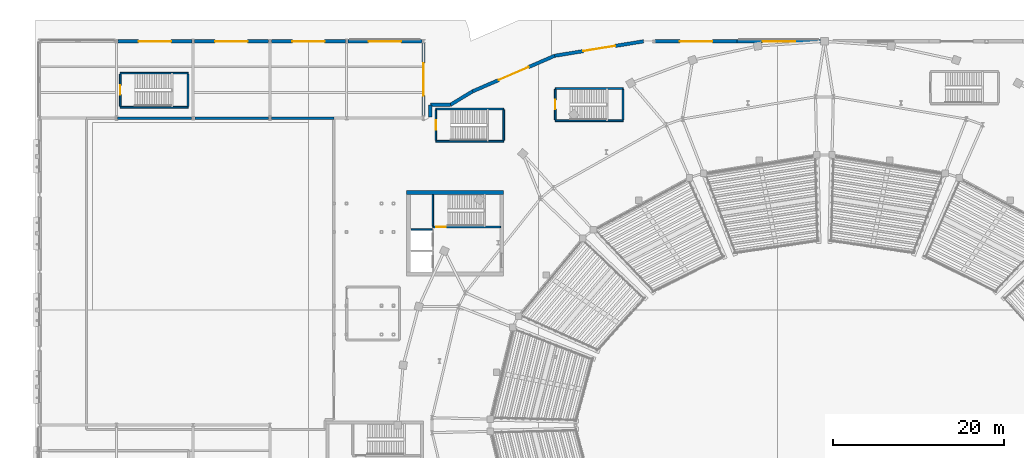
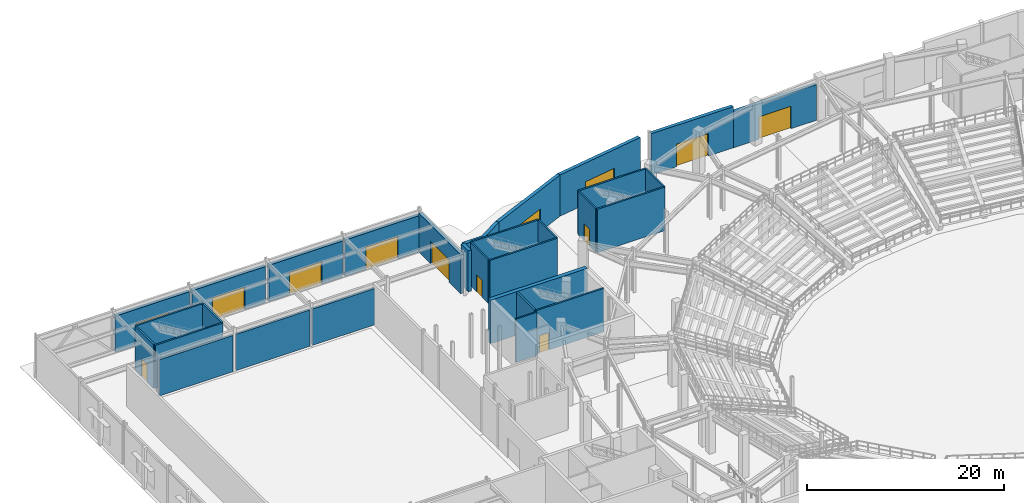
# One storey, part 52 of 79: 31 walls, 13 doors, 13 openings.
"""IFC4 building model written with IfcOpenShell, lengths in metres."""

from ifc_helpers import new_model, si_unit, direction, frame, frame_2d, origin, place, context, subcontext, project, spatial, rectangle, extrude, material, layer, layer_set, type_object, element, fill, save


model = new_model("IFC4")

# Units and contexts
model_context = context("Model", 3, precision=1e-05, world=origin(), true_north=direction((0.0, 1.0)))
body_context = subcontext(model_context, "Body", "Model", "MODEL_VIEW")
ifc_project = project(units=[si_unit("LENGTHUNIT", "METRE"), si_unit("AREAUNIT", "SQUARE_METRE"), si_unit("VOLUMEUNIT", "CUBIC_METRE"), si_unit("PLANEANGLEUNIT", "RADIAN"), si_unit("MASSUNIT", "GRAM", prefix="KILO")], contexts=[model_context])

# Site, building, storey
site_placement = place(None, origin())
site = spatial("IfcSite", under=ifc_project, at=site_placement, CompositionType="ELEMENT")
building_placement = place(site_placement, origin())
building = spatial("IfcBuilding", under=site, at=building_placement, Name="Glasvene Arena", CompositionType="ELEMENT")
storey_placement = place(building_placement, origin())
storey = spatial("IfcBuildingStorey", under=building, at=storey_placement, Name="L00", CompositionType="ELEMENT", Elevation=0.0)

# Wall
ifc_material_1 = material(Name="Concrete C40/50", Category="concrete")
ifc_layer_1 = layer(ifc_material_1, 0.449951171875)
ifc_layer_set_1 = layer_set([ifc_layer_1], Name="Concrete C40/50")
wall_type_1 = type_object("IfcWallType", Name="WL-CORE-450", PredefinedType="SHEAR", material=ifc_layer_set_1)
wall_1_placement = place(storey_placement, frame((43.0, 100.27490234375, 0.0), z_axis=(0.0, 0.0, 1.0), x_axis=(1.0, 0.0, 0.0)))
element("IfcWall", 1, at=wall_1_placement, inside=storey, type_object=wall_type_1, Name="Core C1 North-West shear wall N L00", PredefinedType="SHEAR", context=body_context, shape_type="SweptSolid", body=[
    extrude(rectangle(XDim=11.39990234375, YDim=0.449951171875, at=frame_2d((5.699951171875, 0.0))), origin(), (0.0, 0.0, 1.0), 5.39990234375),
])

# Wall, opening, door
ifc_material_2 = material(Name="Coursed pale Irish limestone", Category="masonry")
ifc_layer_2 = layer(ifc_material_2, 0.39990234375)
ifc_layer_set_2 = layer_set([ifc_layer_2], Name="Coursed pale Irish limestone")
wall_type_2 = type_object("IfcWallType", Name="WL-EXT-LIM-400", PredefinedType="STANDARD", material=ifc_layer_set_2)
wall_2_placement = place(storey_placement, frame((9.188232421875, 118.0, 0.0), z_axis=(0.0, 0.0, 1.0), x_axis=(1.0, 0.0, 0.0)))
wall_2 = element("IfcWall", 2, at=wall_2_placement, inside=storey, type_object=wall_type_2, Name="External facade wall EW-L00-0007", PredefinedType="STANDARD", context=body_context, shape_type="SweptSolid", body=[
    extrude(rectangle(XDim=8.65966796875, YDim=0.39990234375, at=frame_2d((4.329833984375, 0.0))), origin(), (0.0, 0.0, 1.0), 4.50732421875),
])
opening_1_placement = place(wall_2_placement, frame((2.429931640625, 0.0, 0.0)))
opening_1 = element("IfcOpeningElement", 3, at=opening_1_placement, cuts=wall_2, Name="Opening E-MAIN", PredefinedType="OPENING", context=body_context, shape_type="SweptSolid", body=[
    extrude(rectangle(XDim=3.800048828125, YDim=2.800048828125, at=frame_2d((1.89990234375, 1.39990234375))), frame((0.0, 0.2099609375, 0.0), z_axis=(0.0, -1.0, 0.0), x_axis=(1.0, 0.0, 0.0)), (0.0, 0.0, 1.0), 0.419921875),
])
ifc_material_3 = material(Name="Anodised architectural aluminium", Category="aluminium")
door_type_1 = type_object("IfcDoorType", Name="DR-ENT-3800", OperationType="DOUBLE_DOOR_SINGLE_SWING", PredefinedType="DOOR", material=ifc_material_3)
door_1_placement = place(opening_1_placement, origin())
door_1 = element("IfcDoor", 4, at=door_1_placement, inside=storey, type_object=door_type_1, Name="Main entrance E01", OperationType="DOUBLE_DOOR_SINGLE_SWING", OverallHeight=2.800048828125, OverallWidth=3.800048828125, PredefinedType="DOOR", context=body_context, shape_type="SweptSolid", body=[
    extrude(rectangle(XDim=3.800048828125, YDim=2.800048828125, at=frame_2d((1.89990234375, 1.39990234375))), frame((0.0, 0.02490234375, 0.0), z_axis=(0.0, -1.0, 0.0), x_axis=(1.0, 0.0, 0.0)), (0.0, 0.0, 1.0), 0.050048828125),
])
fill(opening_1, door_1)

wall_3_placement = place(storey_placement, frame((18.152099609375, 118.0, 0.0), z_axis=(0.0, 0.0, 1.0), x_axis=(1.0, 0.0, 0.0)))
wall_3 = element("IfcWall", 5, at=wall_3_placement, inside=storey, type_object=wall_type_2, Name="External facade wall EW-L00-0008", PredefinedType="STANDARD", context=body_context, shape_type="SweptSolid", body=[
    extrude(rectangle(XDim=8.65966796875, YDim=0.39990234375, at=frame_2d((4.329833984375, 0.0))), origin(), (0.0, 0.0, 1.0), 4.50732421875),
])
opening_2_placement = place(wall_3_placement, frame((2.429931640625, 0.0, 0.0)))
opening_2 = element("IfcOpeningElement", 6, at=opening_2_placement, cuts=wall_3, Name="Opening E-MAIN", PredefinedType="OPENING", context=body_context, shape_type="SweptSolid", body=[
    extrude(rectangle(XDim=3.800048828125, YDim=2.800048828125, at=frame_2d((1.89990234375, 1.39990234375))), frame((0.0, 0.2099609375, 0.0), z_axis=(0.0, -1.0, 0.0), x_axis=(1.0, 0.0, 0.0)), (0.0, 0.0, 1.0), 0.419921875),
])
door_2_placement = place(opening_2_placement, origin())
door_2 = element("IfcDoor", 7, at=door_2_placement, inside=storey, type_object=door_type_1, Name="Main entrance E02", OperationType="DOUBLE_DOOR_SINGLE_SWING", OverallHeight=2.800048828125, OverallWidth=3.800048828125, PredefinedType="DOOR", context=body_context, shape_type="SweptSolid", body=[
    extrude(rectangle(XDim=3.800048828125, YDim=2.800048828125, at=frame_2d((1.89990234375, 1.39990234375))), frame((0.0, 0.02490234375, 0.0), z_axis=(0.0, -1.0, 0.0), x_axis=(1.0, 0.0, 0.0)), (0.0, 0.0, 1.0), 0.050048828125),
])
fill(opening_2, door_2)

wall_4_placement = place(storey_placement, frame((27.188232421875, 118.0, 0.0), z_axis=(0.0, 0.0, 1.0), x_axis=(1.0, 0.0, 0.0)))
wall_4 = element("IfcWall", 8, at=wall_4_placement, inside=storey, type_object=wall_type_2, Name="External facade wall EW-L00-0009", PredefinedType="STANDARD", context=body_context, shape_type="SweptSolid", body=[
    extrude(rectangle(XDim=8.65966796875, YDim=0.39990234375, at=frame_2d((4.329833984375, 0.0))), origin(), (0.0, 0.0, 1.0), 4.50732421875),
])
opening_3_placement = place(wall_4_placement, frame((2.429931640625, 0.0, 0.0)))
opening_3 = element("IfcOpeningElement", 9, at=opening_3_placement, cuts=wall_4, Name="Opening E-MAIN", PredefinedType="OPENING", context=body_context, shape_type="SweptSolid", body=[
    extrude(rectangle(XDim=3.800048828125, YDim=2.800048828125, at=frame_2d((1.89990234375, 1.39990234375))), frame((0.0, 0.2099609375, 0.0), z_axis=(0.0, -1.0, 0.0), x_axis=(1.0, 0.0, 0.0)), (0.0, 0.0, 1.0), 0.419921875),
])
door_3_placement = place(opening_3_placement, origin())
door_3 = element("IfcDoor", 10, at=door_3_placement, inside=storey, type_object=door_type_1, Name="Main entrance E03", OperationType="DOUBLE_DOOR_SINGLE_SWING", OverallHeight=2.800048828125, OverallWidth=3.800048828125, PredefinedType="DOOR", context=body_context, shape_type="SweptSolid", body=[
    extrude(rectangle(XDim=3.800048828125, YDim=2.800048828125, at=frame_2d((1.89990234375, 1.39990234375))), frame((0.0, 0.02490234375, 0.0), z_axis=(0.0, -1.0, 0.0), x_axis=(1.0, 0.0, 0.0)), (0.0, 0.0, 1.0), 0.050048828125),
])
fill(opening_3, door_3)

wall_5_placement = place(storey_placement, frame((36.152099609375, 118.0, 0.0), z_axis=(0.0, 0.0, 1.0), x_axis=(1.0, 0.0, 0.0)))
wall_5 = element("IfcWall", 11, at=wall_5_placement, inside=storey, type_object=wall_type_2, Name="External facade wall EW-L00-0010", PredefinedType="STANDARD", context=body_context, shape_type="SweptSolid", body=[
    extrude(rectangle(XDim=8.65966796875, YDim=0.39990234375, at=frame_2d((4.329833984375, 0.0))), origin(), (0.0, 0.0, 1.0), 4.50732421875),
])
opening_4_placement = place(wall_5_placement, frame((2.429931640625, 0.0, 0.0)))
opening_4 = element("IfcOpeningElement", 12, at=opening_4_placement, cuts=wall_5, Name="Opening E-MAIN", PredefinedType="OPENING", context=body_context, shape_type="SweptSolid", body=[
    extrude(rectangle(XDim=3.800048828125, YDim=2.800048828125, at=frame_2d((1.89990234375, 1.39990234375))), frame((0.0, 0.2099609375, 0.0), z_axis=(0.0, -1.0, 0.0), x_axis=(1.0, 0.0, 0.0)), (0.0, 0.0, 1.0), 0.419921875),
])
door_4_placement = place(opening_4_placement, origin())
door_4 = element("IfcDoor", 13, at=door_4_placement, inside=storey, type_object=door_type_1, Name="Main entrance E04", OperationType="DOUBLE_DOOR_SINGLE_SWING", OverallHeight=2.800048828125, OverallWidth=3.800048828125, PredefinedType="DOOR", context=body_context, shape_type="SweptSolid", body=[
    extrude(rectangle(XDim=3.800048828125, YDim=2.800048828125, at=frame_2d((1.89990234375, 1.39990234375))), frame((0.0, 0.02490234375, 0.0), z_axis=(0.0, -1.0, 0.0), x_axis=(1.0, 0.0, 0.0)), (0.0, 0.0, 1.0), 0.050048828125),
])
fill(opening_4, door_4)

wall_6_placement = place(storey_placement, frame((45.0, 117.81396484375, 0.0), z_axis=(0.0, 0.0, 1.0), x_axis=(0.0, -1.0, 0.0)))
wall_6 = element("IfcWall", 14, at=wall_6_placement, inside=storey, type_object=wall_type_2, Name="External facade wall EW-L00-0011", PredefinedType="STANDARD", context=body_context, shape_type="SweptSolid", body=[
    extrude(rectangle(XDim=8.56201171875, YDim=0.39990234375, at=frame_2d((4.281005859375, 0.0))), origin(), (0.0, 0.0, 1.0), 4.81494140625),
])
opening_5_placement = place(wall_6_placement, frame((2.381103515625, 0.0, 0.0)))
opening_5 = element("IfcOpeningElement", 15, at=opening_5_placement, cuts=wall_6, Name="Opening E-MAIN", PredefinedType="OPENING", context=body_context, shape_type="SweptSolid", body=[
    extrude(rectangle(XDim=3.800048828125, YDim=2.800048828125, at=frame_2d((1.89990234375, 1.39990234375))), frame((0.0, 0.2099609375, 0.0), z_axis=(0.0, -1.0, 0.0), x_axis=(1.0, 0.0, 0.0)), (0.0, 0.0, 1.0), 0.419921875),
])
door_5_placement = place(opening_5_placement, origin())
door_5 = element("IfcDoor", 16, at=door_5_placement, inside=storey, type_object=door_type_1, Name="Main entrance E05", OperationType="DOUBLE_DOOR_SINGLE_SWING", OverallHeight=2.800048828125, OverallWidth=3.800048828125, PredefinedType="DOOR", context=body_context, shape_type="SweptSolid", body=[
    extrude(rectangle(XDim=3.800048828125, YDim=2.800048828125, at=frame_2d((1.89990234375, 1.39990234375))), frame((0.0, 0.02490234375, 0.0), z_axis=(0.0, -1.0, 0.0), x_axis=(1.0, 0.0, 0.0)), (0.0, 0.0, 1.0), 0.050048828125),
])
fill(opening_5, door_5)

# Walls
wall_7_placement = place(storey_placement, frame((45.800048828125, 109.1357421875, 0.0), z_axis=(0.0, 0.0, 1.0), x_axis=(0.0, 1.0, 0.0)))
element("IfcWall", 17, at=wall_7_placement, inside=storey, type_object=wall_type_2, Name="External facade wall EW-L00-0012", PredefinedType="STANDARD", context=body_context, shape_type="SweptSolid", body=[
    extrude(rectangle(XDim=1.414306640625, YDim=0.39990234375, at=frame_2d((0.70703125, 0.0))), origin(), (0.0, 0.0, 1.0), 5.1201171875),
])
wall_8_placement = place(storey_placement, frame((45.800048828125, 110.550048828125, 0.0), z_axis=(0.0, 0.0, 1.0), x_axis=(1.0, 0.0, 0.0)))
element("IfcWall", 18, at=wall_8_placement, inside=storey, type_object=wall_type_2, Name="External facade wall EW-L00-0013", PredefinedType="STANDARD", context=body_context, shape_type="SweptSolid", body=[
    extrude(rectangle(XDim=2.339599609375, YDim=0.39990234375, at=frame_2d((1.169921875, 0.0))), origin(), (0.0, 0.0, 1.0), 5.1201171875),
])
wall_9_placement = place(storey_placement, frame((48.1396484375, 110.550048828125, 0.0), z_axis=(0.0, 0.0, 1.0), x_axis=(0.855818752803, 0.517275808782, 0.0)))
element("IfcWall", 19, at=wall_9_placement, inside=storey, type_object=wall_type_2, Name="External facade wall EW-L00-0014", PredefinedType="STANDARD", context=body_context, shape_type="SweptSolid", body=[
    extrude(rectangle(XDim=3.070556640625, YDim=0.39990234375, at=frame_2d((1.53515625, 0.0))), origin(), (0.0, 0.0, 1.0), 5.1201171875),
])

# Wall, opening, door
wall_10_placement = place(storey_placement, frame((50.767578125, 112.138427734375, 0.0), z_axis=(0.0, 0.0, 1.0), x_axis=(0.917436013805, 0.397883350461, 0.0)))
wall_10 = element("IfcWall", 20, at=wall_10_placement, inside=storey, type_object=wall_type_2, Name="External facade wall EW-L00-0015", PredefinedType="STANDARD", context=body_context, shape_type="SweptSolid", body=[
    extrude(rectangle(XDim=10.478515625, YDim=0.39990234375, at=frame_2d((5.2392578125, 0.0))), origin(), (0.0, 0.0, 1.0), 5.1201171875),
])
opening_6_placement = place(wall_10_placement, frame((3.339111328125, 0.0, 0.0)))
opening_6 = element("IfcOpeningElement", 21, at=opening_6_placement, cuts=wall_10, Name="Opening E-MAIN", PredefinedType="OPENING", context=body_context, shape_type="SweptSolid", body=[
    extrude(rectangle(XDim=3.800048828125, YDim=2.800048828125, at=frame_2d((1.89990234375, 1.39990234375))), frame((0.0, 0.2099609375, 0.0), z_axis=(0.0, -1.0, 0.0), x_axis=(1.0, 0.0, 0.0)), (0.0, 0.0, 1.0), 0.419921875),
])
door_6_placement = place(opening_6_placement, origin())
door_6 = element("IfcDoor", 22, at=door_6_placement, inside=storey, type_object=door_type_1, Name="Main entrance E06", OperationType="DOUBLE_DOOR_SINGLE_SWING", OverallHeight=2.800048828125, OverallWidth=3.800048828125, PredefinedType="DOOR", context=body_context, shape_type="SweptSolid", body=[
    extrude(rectangle(XDim=3.800048828125, YDim=2.800048828125, at=frame_2d((1.89990234375, 1.39990234375))), frame((0.0, 0.02490234375, 0.0), z_axis=(0.0, -1.0, 0.0), x_axis=(1.0, 0.0, 0.0)), (0.0, 0.0, 1.0), 0.050048828125),
])
fill(opening_6, door_6)

wall_11_placement = place(storey_placement, frame((60.380859375, 116.3076171875, 0.0), z_axis=(0.0, 0.0, 1.0), x_axis=(0.987056625979, 0.160372120738, 0.0)))
wall_11 = element("IfcWall", 23, at=wall_11_placement, inside=storey, type_object=wall_type_2, Name="External facade wall EW-L00-0016", PredefinedType="STANDARD", context=body_context, shape_type="SweptSolid", body=[
    extrude(rectangle(XDim=10.552734375, YDim=0.39990234375, at=frame_2d((5.2763671875, 0.0))), origin(), (0.0, 0.0, 1.0), 5.1201171875),
])
opening_7_placement = place(wall_11_placement, frame((3.3759765625, 0.0, 0.0)))
opening_7 = element("IfcOpeningElement", 24, at=opening_7_placement, cuts=wall_11, Name="Opening E-MAIN", PredefinedType="OPENING", context=body_context, shape_type="SweptSolid", body=[
    extrude(rectangle(XDim=3.800048828125, YDim=2.800048828125, at=frame_2d((1.89990234375, 1.39990234375))), frame((0.0, 0.2099609375, 0.0), z_axis=(0.0, -1.0, 0.0), x_axis=(1.0, 0.0, 0.0)), (0.0, 0.0, 1.0), 0.419921875),
])
door_7_placement = place(opening_7_placement, origin())
door_7 = element("IfcDoor", 25, at=door_7_placement, inside=storey, type_object=door_type_1, Name="Main entrance E07", OperationType="DOUBLE_DOOR_SINGLE_SWING", OverallHeight=2.800048828125, OverallWidth=3.800048828125, PredefinedType="DOOR", context=body_context, shape_type="SweptSolid", body=[
    extrude(rectangle(XDim=3.800048828125, YDim=2.800048828125, at=frame_2d((1.89990234375, 1.39990234375))), frame((0.0, 0.02490234375, 0.0), z_axis=(0.0, -1.0, 0.0), x_axis=(1.0, 0.0, 0.0)), (0.0, 0.0, 1.0), 0.050048828125),
])
fill(opening_7, door_7)

wall_12_placement = place(storey_placement, frame((72.152099609375, 118.0, 0.0), z_axis=(0.0, 0.0, 1.0), x_axis=(1.0, 0.0, 0.0)))
wall_12 = element("IfcWall", 26, at=wall_12_placement, inside=storey, type_object=wall_type_2, Name="External facade wall EW-L00-0017", PredefinedType="STANDARD", context=body_context, shape_type="SweptSolid", body=[
    extrude(rectangle(XDim=9.608154296875, YDim=0.39990234375, at=frame_2d((4.80419921875, 0.0))), origin(), (0.0, 0.0, 1.0), 5.1201171875),
])
opening_8_placement = place(wall_12_placement, frame((2.904052734375, 0.0, 0.0)))
opening_8 = element("IfcOpeningElement", 27, at=opening_8_placement, cuts=wall_12, Name="Opening E-MAIN", PredefinedType="OPENING", context=body_context, shape_type="SweptSolid", body=[
    extrude(rectangle(XDim=3.800048828125, YDim=2.800048828125, at=frame_2d((1.89990234375, 1.39990234375))), frame((0.0, 0.2099609375, 0.0), z_axis=(0.0, -1.0, 0.0), x_axis=(1.0, 0.0, 0.0)), (0.0, 0.0, 1.0), 0.419921875),
])
door_8_placement = place(opening_8_placement, origin())
door_8 = element("IfcDoor", 28, at=door_8_placement, inside=storey, type_object=door_type_1, Name="Main entrance E08", OperationType="DOUBLE_DOOR_SINGLE_SWING", OverallHeight=2.800048828125, OverallWidth=3.800048828125, PredefinedType="DOOR", context=body_context, shape_type="SweptSolid", body=[
    extrude(rectangle(XDim=3.800048828125, YDim=2.800048828125, at=frame_2d((1.89990234375, 1.39990234375))), frame((0.0, 0.02490234375, 0.0), z_axis=(0.0, -1.0, 0.0), x_axis=(1.0, 0.0, 0.0)), (0.0, 0.0, 1.0), 0.050048828125),
])
fill(opening_8, door_8)

wall_13_placement = place(storey_placement, frame((81.76025390625, 118.0, 0.0), z_axis=(0.0, 0.0, 1.0), x_axis=(1.0, 0.0, 0.0)))
wall_13 = element("IfcWall", 29, at=wall_13_placement, inside=storey, type_object=wall_type_2, Name="External facade wall EW-L00-0018", PredefinedType="STANDARD", context=body_context, shape_type="SweptSolid", body=[
    extrude(rectangle(XDim=9.787841796875, YDim=0.39990234375, at=frame_2d((4.89404296875, 0.0))), origin(), (0.0, 0.0, 1.0), 4.431396484375),
])
opening_9_placement = place(wall_13_placement, frame((2.993896484375, 0.0, 0.0)))
opening_9 = element("IfcOpeningElement", 30, at=opening_9_placement, cuts=wall_13, Name="Opening E-MAIN", PredefinedType="OPENING", context=body_context, shape_type="SweptSolid", body=[
    extrude(rectangle(XDim=3.800048828125, YDim=2.800048828125, at=frame_2d((1.89990234375, 1.39990234375))), frame((0.0, 0.2099609375, 0.0), z_axis=(0.0, -1.0, 0.0), x_axis=(1.0, 0.0, 0.0)), (0.0, 0.0, 1.0), 0.419921875),
])
door_9_placement = place(opening_9_placement, origin())
door_9 = element("IfcDoor", 31, at=door_9_placement, inside=storey, type_object=door_type_1, Name="Main entrance E09", OperationType="DOUBLE_DOOR_SINGLE_SWING", OverallHeight=2.800048828125, OverallWidth=3.800048828125, PredefinedType="DOOR", context=body_context, shape_type="SweptSolid", body=[
    extrude(rectangle(XDim=3.800048828125, YDim=2.800048828125, at=frame_2d((1.89990234375, 1.39990234375))), frame((0.0, 0.02490234375, 0.0), z_axis=(0.0, -1.0, 0.0), x_axis=(1.0, 0.0, 0.0)), (0.0, 0.0, 1.0), 0.050048828125),
])
fill(opening_9, door_9)

ifc_layer_3 = layer(ifc_material_1, 0.199951171875)
ifc_layer_set_3 = layer_set([ifc_layer_3], Name="Concrete C40/50")
wall_type_3 = type_object("IfcWallType", Name="WL-SHAFT-200", PredefinedType="SHEAR", material=ifc_layer_set_3)
wall_14_placement = place(storey_placement, frame((46.10009765625, 96.22998046875, 0.0), z_axis=(0.0, 0.0, 1.0), x_axis=(1.0, 0.0, 0.0)))
wall_14 = element("IfcWall", 32, at=wall_14_placement, inside=storey, type_object=wall_type_3, Name="Escape stair shaft wall ST-01 L00 S", PredefinedType="SHEAR", context=body_context, shape_type="SweptSolid", body=[
    extrude(rectangle(XDim=7.949951171875, YDim=0.199951171875, at=frame_2d((3.97509765625, 0.0))), origin(), (0.0, 0.0, 1.0), 5.39990234375),
])
opening_10_placement = place(wall_14_placement, frame((0.39990234375, 0.0, 0.0)))
opening_10 = element("IfcOpeningElement", 33, at=opening_10_placement, cuts=wall_14, Name="Opening D-04", PredefinedType="OPENING", context=body_context, shape_type="SweptSolid", body=[
    extrude(rectangle(XDim=1.10009765625, YDim=2.14990234375, at=frame_2d((0.550048828125, 1.074951171875))), frame((0.0, 0.10986328125, 0.0), z_axis=(0.0, -1.0, 0.0), x_axis=(1.0, 0.0, 0.0)), (0.0, 0.0, 1.0), 0.219970703125),
])
ifc_material_4 = material(Name="Painted fire-resisting steel", Category="steel")
door_type_2 = type_object("IfcDoorType", Name="DR-FD60-1100", OperationType="NOTDEFINED", PredefinedType="DOOR", material=ifc_material_4)
door_10_placement = place(opening_10_placement, frame((1.10009765625, 0.0, 0.0), z_axis=(0.0, 0.0, 1.0), x_axis=(-1.0, 0.0, 0.0)))
door_10 = element("IfcDoor", 34, at=door_10_placement, inside=storey, type_object=door_type_2, Name="Protected escape stair door ST-01 L00", OperationType="SINGLE_SWING_LEFT", OverallHeight=2.14990234375, OverallWidth=1.10009765625, PredefinedType="DOOR", context=body_context, shape_type="SweptSolid", body=[
    extrude(rectangle(XDim=1.10009765625, YDim=2.14990234375, at=frame_2d((0.550048828125, 1.074951171875))), frame((0.0, 0.02490234375, 0.0), z_axis=(0.0, -1.0, 0.0), x_axis=(1.0, 0.0, 0.0)), (0.0, 0.0, 1.0), 0.050048828125),
])
fill(opening_10, door_10)

# Walls
wall_15_placement = place(storey_placement, frame((46.10009765625, 96.33203125, 0.0), z_axis=(0.0, 0.0, 1.0), x_axis=(0.0, 1.0, 0.0)))
element("IfcWall", 35, at=wall_15_placement, inside=storey, type_object=wall_type_3, Name="Escape stair shaft wall ST-01 L00 W", PredefinedType="SHEAR", context=body_context, shape_type="SweptSolid", body=[
    extrude(rectangle(XDim=3.68603515625, YDim=0.199951171875, at=frame_2d((1.843017578125, 0.0))), origin(), (0.0, 0.0, 1.0), 5.39990234375),
])
wall_16_placement = place(storey_placement, frame((60.449951171875, 108.679931640625, 0.0), z_axis=(0.0, 0.0, 1.0), x_axis=(1.0, 0.0, 0.0)))
element("IfcWall", 36, at=wall_16_placement, inside=storey, type_object=wall_type_3, Name="Escape stair shaft wall ST-10 L00 S", PredefinedType="SHEAR", context=body_context, shape_type="SweptSolid", body=[
    extrude(rectangle(XDim=7.949951171875, YDim=0.199951171875, at=frame_2d((3.97509765625, 0.0))), origin(), (0.0, 0.0, 1.0), 5.39990234375),
])

# Wall, opening, door
wall_17_placement = place(storey_placement, frame((60.449951171875, 108.781982421875, 0.0), z_axis=(0.0, 0.0, 1.0), x_axis=(0.0, 1.0, 0.0)))
wall_17 = element("IfcWall", 37, at=wall_17_placement, inside=storey, type_object=wall_type_3, Name="Escape stair shaft wall ST-10 L00 W", PredefinedType="SHEAR", context=body_context, shape_type="SweptSolid", body=[
    extrude(rectangle(XDim=3.5859375, YDim=0.199951171875, at=frame_2d((1.79296875, 0.0))), origin(), (0.0, 0.0, 1.0), 5.39990234375),
])
opening_11_placement = place(wall_17_placement, frame((1.242919921875, 0.0, 0.0)))
opening_11 = element("IfcOpeningElement", 38, at=opening_11_placement, cuts=wall_17, Name="Opening D-04", PredefinedType="OPENING", context=body_context, shape_type="SweptSolid", body=[
    extrude(rectangle(XDim=1.10009765625, YDim=2.14990234375, at=frame_2d((0.550048828125, 1.074951171875))), frame((0.0, 0.10986328125, 0.0), z_axis=(0.0, -1.0, 0.0), x_axis=(1.0, 0.0, 0.0)), (0.0, 0.0, 1.0), 0.219970703125),
])
door_11_placement = place(opening_11_placement, frame((1.10009765625, 0.0, 0.0), z_axis=(0.0, 0.0, 1.0), x_axis=(-1.0, 0.0, 0.0)))
door_11 = element("IfcDoor", 39, at=door_11_placement, inside=storey, type_object=door_type_2, Name="Protected escape stair door ST-10 L00", OperationType="SINGLE_SWING_LEFT", OverallHeight=2.14990234375, OverallWidth=1.10009765625, PredefinedType="DOOR", context=body_context, shape_type="SweptSolid", body=[
    extrude(rectangle(XDim=1.10009765625, YDim=2.14990234375, at=frame_2d((0.550048828125, 1.074951171875))), frame((0.0, 0.02490234375, 0.0), z_axis=(0.0, -1.0, 0.0), x_axis=(1.0, 0.0, 0.0)), (0.0, 0.0, 1.0), 0.050048828125),
])
fill(opening_11, door_11)

# Walls
wall_18_placement = place(storey_placement, frame((68.39990234375, 108.781982421875, 0.0), z_axis=(0.0, 0.0, 1.0), x_axis=(0.0, 1.0, 0.0)))
element("IfcWall", 40, at=wall_18_placement, inside=storey, type_object=wall_type_3, Name="Escape stair shaft wall ST-10 L00 E", PredefinedType="SHEAR", context=body_context, shape_type="SweptSolid", body=[
    extrude(rectangle(XDim=3.5859375, YDim=0.199951171875, at=frame_2d((1.79296875, 0.0))), origin(), (0.0, 0.0, 1.0), 5.39990234375),
])
for number, where, z_axis, x_axis, name in (
    (41, (60.449951171875, 112.469970703125, 0.0), (0.0, 0.0, 1.0), (1.0, 0.0, 0.0), "Escape stair shaft wall ST-10 L00 N"),
    (42, (46.449951171875, 106.280029296875, 0.0), (0.0, 0.0, 1.0), (1.0, 0.0, 0.0), "Escape stair shaft wall ST-12 L00 S"),
):
    element("IfcWall", number, at=place(storey_placement, frame(where, z_axis=z_axis, x_axis=x_axis)), inside=storey, type_object=wall_type_3, Name=name, PredefinedType="SHEAR", context=body_context, shape_type="SweptSolid", body=[
        extrude(rectangle(XDim=7.949951171875, YDim=0.199951171875, at=frame_2d((3.97509765625, 0.0))), origin(), (0.0, 0.0, 1.0), 5.39990234375),
    ])

# Wall, opening, door
wall_19_placement = place(storey_placement, frame((46.449951171875, 106.382080078125, 0.0), z_axis=(0.0, 0.0, 1.0), x_axis=(0.0, 1.0, 0.0)))
wall_19 = element("IfcWall", 43, at=wall_19_placement, inside=storey, type_object=wall_type_3, Name="Escape stair shaft wall ST-12 L00 W", PredefinedType="SHEAR", context=body_context, shape_type="SweptSolid", body=[
    extrude(rectangle(XDim=3.5859375, YDim=0.199951171875, at=frame_2d((1.79296875, 0.0))), origin(), (0.0, 0.0, 1.0), 5.39990234375),
])
opening_12_placement = place(wall_19_placement, frame((1.242919921875, 0.0, 0.0)))
opening_12 = element("IfcOpeningElement", 44, at=opening_12_placement, cuts=wall_19, Name="Opening D-04", PredefinedType="OPENING", context=body_context, shape_type="SweptSolid", body=[
    extrude(rectangle(XDim=1.10009765625, YDim=2.14990234375, at=frame_2d((0.550048828125, 1.074951171875))), frame((0.0, 0.10986328125, 0.0), z_axis=(0.0, -1.0, 0.0), x_axis=(1.0, 0.0, 0.0)), (0.0, 0.0, 1.0), 0.219970703125),
])
door_12_placement = place(opening_12_placement, frame((1.10009765625, 0.0, 0.0), z_axis=(0.0, 0.0, 1.0), x_axis=(-1.0, 0.0, 0.0)))
door_12 = element("IfcDoor", 45, at=door_12_placement, inside=storey, type_object=door_type_2, Name="Protected escape stair door ST-12 L00", OperationType="SINGLE_SWING_LEFT", OverallHeight=2.14990234375, OverallWidth=1.10009765625, PredefinedType="DOOR", context=body_context, shape_type="SweptSolid", body=[
    extrude(rectangle(XDim=1.10009765625, YDim=2.14990234375, at=frame_2d((0.550048828125, 1.074951171875))), frame((0.0, 0.02490234375, 0.0), z_axis=(0.0, -1.0, 0.0), x_axis=(1.0, 0.0, 0.0)), (0.0, 0.0, 1.0), 0.050048828125),
])
fill(opening_12, door_12)

# Walls
wall_20_placement = place(storey_placement, frame((54.39990234375, 106.382080078125, 0.0), z_axis=(0.0, 0.0, 1.0), x_axis=(0.0, 1.0, 0.0)))
element("IfcWall", 46, at=wall_20_placement, inside=storey, type_object=wall_type_3, Name="Escape stair shaft wall ST-12 L00 E", PredefinedType="SHEAR", context=body_context, shape_type="SweptSolid", body=[
    extrude(rectangle(XDim=3.5859375, YDim=0.199951171875, at=frame_2d((1.79296875, 0.0))), origin(), (0.0, 0.0, 1.0), 5.39990234375),
])
for number, where, z_axis, x_axis, name in (
    (47, (46.449951171875, 110.070068359375, 0.0), (0.0, 0.0, 1.0), (1.0, 0.0, 0.0), "Escape stair shaft wall ST-12 L00 N"),
    (48, (9.449951171875, 110.280029296875, 0.0), (0.0, 0.0, 1.0), (1.0, 0.0, 0.0), "Escape stair shaft wall ST-14 L00 S"),
):
    element("IfcWall", number, at=place(storey_placement, frame(where, z_axis=z_axis, x_axis=x_axis)), inside=storey, type_object=wall_type_3, Name=name, PredefinedType="SHEAR", context=body_context, shape_type="SweptSolid", body=[
        extrude(rectangle(XDim=7.949951171875, YDim=0.199951171875, at=frame_2d((3.97509765625, 0.0))), origin(), (0.0, 0.0, 1.0), 5.39990234375),
    ])

# Wall, opening, door
wall_21_placement = place(storey_placement, frame((9.449951171875, 110.382080078125, 0.0), z_axis=(0.0, 0.0, 1.0), x_axis=(0.0, 1.0, 0.0)))
wall_21 = element("IfcWall", 49, at=wall_21_placement, inside=storey, type_object=wall_type_3, Name="Escape stair shaft wall ST-14 L00 W", PredefinedType="SHEAR", context=body_context, shape_type="SweptSolid", body=[
    extrude(rectangle(XDim=3.785888671875, YDim=0.199951171875, at=frame_2d((1.89306640625, 0.0))), origin(), (0.0, 0.0, 1.0), 5.39990234375),
])
opening_13_placement = place(wall_21_placement, frame((1.343017578125, 0.0, 0.0)))
opening_13 = element("IfcOpeningElement", 50, at=opening_13_placement, cuts=wall_21, Name="Opening D-04", PredefinedType="OPENING", context=body_context, shape_type="SweptSolid", body=[
    extrude(rectangle(XDim=1.10009765625, YDim=2.14990234375, at=frame_2d((0.550048828125, 1.074951171875))), frame((0.0, 0.10986328125, 0.0), z_axis=(0.0, -1.0, 0.0), x_axis=(1.0, 0.0, 0.0)), (0.0, 0.0, 1.0), 0.219970703125),
])
door_13_placement = place(opening_13_placement, frame((1.10009765625, 0.0, 0.0), z_axis=(0.0, 0.0, 1.0), x_axis=(-1.0, 0.0, 0.0)))
door_13 = element("IfcDoor", 51, at=door_13_placement, inside=storey, type_object=door_type_2, Name="Protected escape stair door ST-14 L00", OperationType="SINGLE_SWING_RIGHT", OverallHeight=2.14990234375, OverallWidth=1.10009765625, PredefinedType="DOOR", context=body_context, shape_type="SweptSolid", body=[
    extrude(rectangle(XDim=1.10009765625, YDim=2.14990234375, at=frame_2d((0.550048828125, 1.074951171875))), frame((0.0, 0.02490234375, 0.0), z_axis=(0.0, -1.0, 0.0), x_axis=(1.0, 0.0, 0.0)), (0.0, 0.0, 1.0), 0.050048828125),
])
fill(opening_13, door_13)

# Walls
wall_22_placement = place(storey_placement, frame((17.39990234375, 110.382080078125, 0.0), z_axis=(0.0, 0.0, 1.0), x_axis=(0.0, 1.0, 0.0)))
element("IfcWall", 52, at=wall_22_placement, inside=storey, type_object=wall_type_3, Name="Escape stair shaft wall ST-14 L00 E", PredefinedType="SHEAR", context=body_context, shape_type="SweptSolid", body=[
    extrude(rectangle(XDim=3.785888671875, YDim=0.199951171875, at=frame_2d((1.89306640625, 0.0))), origin(), (0.0, 0.0, 1.0), 5.39990234375),
])
wall_23_placement = place(storey_placement, frame((9.449951171875, 114.27001953125, 0.0), z_axis=(0.0, 0.0, 1.0), x_axis=(1.0, 0.0, 0.0)))
element("IfcWall", 53, at=wall_23_placement, inside=storey, type_object=wall_type_3, Name="Escape stair shaft wall ST-14 L00 N", PredefinedType="SHEAR", context=body_context, shape_type="SweptSolid", body=[
    extrude(rectangle(XDim=7.949951171875, YDim=0.199951171875, at=frame_2d((3.97509765625, 0.0))), origin(), (0.0, 0.0, 1.0), 5.39990234375),
])
ifc_material_5 = material(Name="Twin-frame acoustic gypsum partition")
ifc_layer_4 = layer(ifc_material_5, 0.280029296875)
ifc_layer_set_4 = layer_set([ifc_layer_4], Name="Twin-frame acoustic gypsum partition")
wall_type_4 = type_object("IfcWallType", Name="WL-STUDIO-280", PredefinedType="PARTITIONING", material=ifc_layer_set_4)
for number, where, z_axis, x_axis, name in (
    (54, (9.154052734375, 109.0, 0.0), (0.0, 0.0, 1.0), (1.0, 0.0, 0.0), "Interior partition wall IW-L00-0095 (Warm-Up Practice Basketball Court)"),
    (55, (18.190185546875, 109.0, 0.0), (0.0, 0.0, 1.0), (1.0, 0.0, 0.0), "Interior partition wall IW-L00-0096 (Warm-Up Practice Basketball Court)"),
):
    element("IfcWall", number, at=place(storey_placement, frame(where, z_axis=z_axis, x_axis=x_axis)), inside=storey, type_object=wall_type_4, Name=name, PredefinedType="PARTITIONING", context=body_context, shape_type="SweptSolid", body=[
        extrude(rectangle(XDim=8.65576171875, YDim=0.280029296875, at=frame_2d((4.327880859375, 0.0))), origin(), (0.0, 0.0, 1.0), 4.50732421875),
    ])
wall_24_placement = place(storey_placement, frame((27.154052734375, 109.0, 0.0), z_axis=(0.0, 0.0, 1.0), x_axis=(1.0, 0.0, 0.0)))
element("IfcWall", 56, at=wall_24_placement, inside=storey, type_object=wall_type_4, Name="Interior partition wall IW-L00-0097 (Warm-Up Practice Basketball Court)", PredefinedType="PARTITIONING", context=body_context, shape_type="SweptSolid", body=[
    extrude(rectangle(XDim=7.345947265625, YDim=0.280029296875, at=frame_2d((3.6728515625, 0.0))), origin(), (0.0, 0.0, 1.0), 4.50732421875),
])
ifc_material_6 = material(Name="Moisture-resistant masonry blockwork", Category="masonry")
ifc_layer_5 = layer(ifc_material_6, 0.179931640625)
ifc_layer_set_5 = layer_set([ifc_layer_5], Name="Moisture-resistant masonry blockwork")
wall_type_5 = type_object("IfcWallType", Name="WL-WET-180", PredefinedType="PARTITIONING", material=ifc_layer_set_5)
wall_25_placement = place(storey_placement, frame((43.550048828125, 95.949951171875, 0.0), z_axis=(0.0, 0.0, 1.0), x_axis=(1.0, 0.0, 0.0)))
element("IfcWall", 57, at=wall_25_placement, inside=storey, type_object=wall_type_5, Name="Lift shaft north enclosure wall C1 L00", PredefinedType="PARTITIONING", context=body_context, shape_type="SweptSolid", body=[
    extrude(rectangle(XDim=2.449951171875, YDim=0.179931640625, at=frame_2d((1.22509765625, 0.0))), origin(), (0.0, 0.0, 1.0), 5.39990234375),
])

save(model, "model.ifc")
